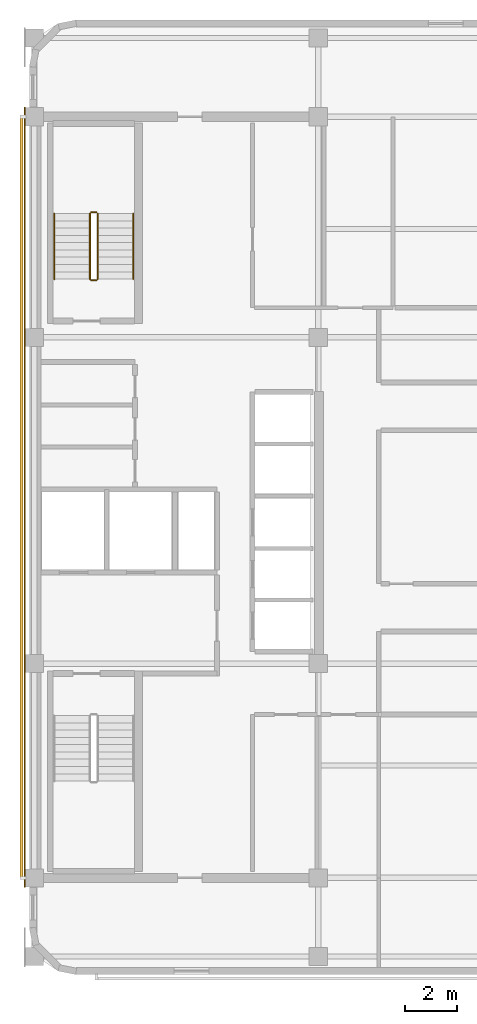
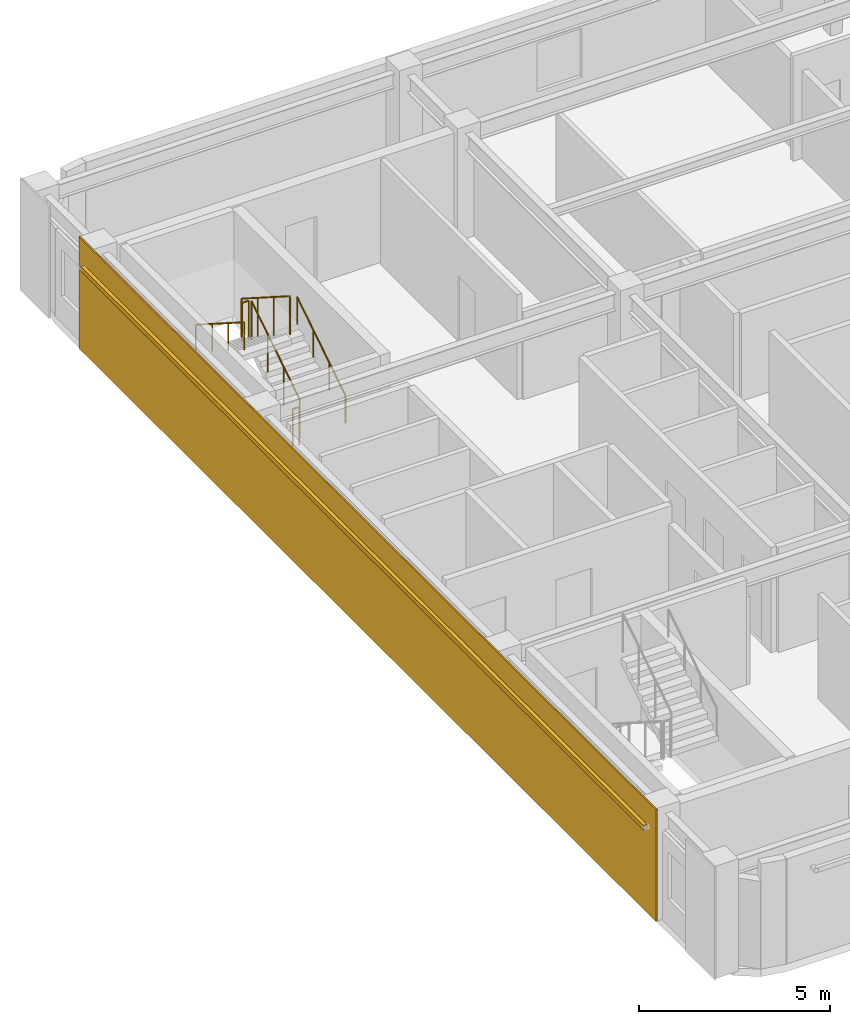
# One storey, part 9 of 10: 6 railings, 1 covering, 1 shading device.
"""IFC4 building model written with IfcOpenShell, lengths in metres."""

from ifc_helpers import new_model, si_unit, direction, frame, origin, origin_2d, place, context, subcontext, project, spatial, rectangle, circle, extrude, material, layer, layer_set, material_profile, profile_set, type_object, element, save


model = new_model("IFC4")

# Units and contexts
model_context = context("Model", 3, precision=1e-05, world=origin(), true_north=direction((0.0, 1.0)))
body_context = subcontext(model_context, "Body", "Model", "MODEL_VIEW")
ifc_project = project(units=[si_unit("LENGTHUNIT", "METRE"), si_unit("AREAUNIT", "SQUARE_METRE"), si_unit("VOLUMEUNIT", "CUBIC_METRE"), si_unit("PLANEANGLEUNIT", "RADIAN"), si_unit("MASSUNIT", "GRAM", prefix="KILO")], contexts=[model_context])

# Site, building, storey
site_placement = place(None, origin())
site = spatial("IfcSite", under=ifc_project, at=site_placement, CompositionType="ELEMENT")
building_placement = place(site_placement, origin())
building = spatial("IfcBuilding", under=site, at=building_placement, Name="Ochreholt Gables", CompositionType="ELEMENT")
storey_placement = place(building_placement, frame((0.0, 0.0, 235.199951171875)))
storey = spatial("IfcBuildingStorey", under=building, at=storey_placement, Name="L61", CompositionType="ELEMENT", Elevation=235.199951171875)

# Covering
ifc_material_1 = material(Name="Glazed Ochre Terracotta Rainscreen Cladding", Category="masonry")
ifc_layer = layer(ifc_material_1, 0.044921875, Name="Glazed Ochre Terracotta Rainscreen Cladding")
ifc_layer_set = layer_set([ifc_layer], Name="Glazed Ochre Terracotta Rainscreen Cladding")
covering_type = type_object("IfcCoveringType", Name="COV-CLAD-TC", PredefinedType="CLADDING", material=ifc_layer_set)
covering_placement = place(storey_placement, frame((23.827880859375, 24.0, 0.010009765625), z_axis=(0.0, 0.0, 1.0), x_axis=(0.0, 1.0, 0.0)))
element("IfcCovering", 1, at=covering_placement, inside=storey, type_object=covering_type, Name="L61 West Core Terracotta Rainscreen Cladding", PredefinedType="CLADDING", context=body_context, shape_type="SweptSolid", body=[
    extrude(rectangle(XDim=30.239990234375, YDim=0.044921875, at=origin_2d()), origin(), (0.0, 0.0, 1.0), 3.580078125),
])

# Railings
ifc_material_2 = material(Name="Painted Steel Stair Guardrail", Category="steel")
railing_type_1 = type_object("IfcRailingType", Name="RL-ST-GUARD", PredefinedType="GUARDRAIL", material=ifc_material_2)
railing_1_placement = place(storey_placement, frame((26.64990234375, 32.4599609375, 0.179931640625)))
element("IfcRailing", 2, at=railing_1_placement, inside=storey, type_object=railing_type_1, Name="L61 ST-2 stair guard 1", PredefinedType="GUARDRAIL", context=body_context, shape_type="SweptSolid", body=[
    extrude(circle(Radius=0.02392578125, at=origin_2d()), frame((0.0, 0.0, 1.22607421875), z_axis=(0.0, 0.842912820907, 0.538050161556), x_axis=(-1.0, 0.0, 0.0)), (0.0, 0.0, 1.0), 3.010986328125),
    extrude(circle(Radius=0.02099609375, at=origin_2d()), origin(), (0.0, 0.0, 1.0), 1.201904296875),
    extrude(circle(Radius=0.02099609375, at=origin_2d()), frame((0.0, 0.845947265625, 0.5400390625)), (0.0, 0.0, 1.0), 1.201904296875),
    extrude(circle(Radius=0.02099609375, at=origin_2d()), frame((0.0, 1.692138671875, 1.080078125)), (0.0, 0.0, 1.0), 1.201904296875),
    extrude(circle(Radius=0.02099609375, at=origin_2d()), frame((0.0, 2.5380859375, 1.6201171875)), (0.0, 0.0, 1.0), 1.201904296875),
])
railing_2_placement = place(storey_placement, frame((26.60009765625, 35.048095703125, 1.800048828125)))
element("IfcRailing", 3, at=railing_2_placement, inside=storey, type_object=railing_type_1, Name="L61 ST-2 stair guard 2", PredefinedType="GUARDRAIL", context=body_context, shape_type="SweptSolid", body=[
    extrude(circle(Radius=0.02392578125, at=origin_2d()), frame((0.0, 0.0, 1.22607421875), z_axis=(-1.0, 0.0, 0.0), x_axis=(0.0, -1.0, 0.0)), (0.0, 0.0, 1.0), 0.2001953125),
    extrude(circle(Radius=0.02099609375, at=origin_2d()), origin(), (0.0, 0.0, 1.0), 1.201904296875),
    extrude(circle(Radius=0.02099609375, at=origin_2d()), frame((-0.2001953125, 0.0, 0.0)), (0.0, 0.0, 1.0), 1.201904296875),
])
railing_3_placement = place(storey_placement, frame((26.35009765625, 34.998046875, 1.97998046875)))
element("IfcRailing", 4, at=railing_3_placement, inside=storey, type_object=railing_type_1, Name="L61 ST-2 stair guard 3", PredefinedType="GUARDRAIL", context=body_context, shape_type="SweptSolid", body=[
    extrude(circle(Radius=0.02392578125, at=origin_2d()), frame((0.0, 0.0, 1.22607421875), z_axis=(0.0, -0.842912820907, 0.538050161556), x_axis=(1.0, 0.0, 0.0)), (0.0, 0.0, 1.0), 3.010986328125),
    extrude(circle(Radius=0.02099609375, at=origin_2d()), origin(), (0.0, 0.0, 1.0), 1.201904296875),
    extrude(circle(Radius=0.02099609375, at=origin_2d()), frame((0.0, -0.845947265625, 0.5400390625)), (0.0, 0.0, 1.0), 1.201904296875),
    extrude(circle(Radius=0.02099609375, at=origin_2d()), frame((0.0, -1.692138671875, 1.080078125)), (0.0, 0.0, 1.0), 1.201904296875),
    extrude(circle(Radius=0.02099609375, at=origin_2d()), frame((0.0, -2.5380859375, 1.6201171875)), (0.0, 0.0, 1.0), 1.201904296875),
])
railing_4_placement = place(storey_placement, frame((26.60009765625, 32.409912109375, 0.0)))
element("IfcRailing", 5, at=railing_4_placement, inside=storey, type_object=railing_type_1, Name="L61 ST-2 stair guard 4", PredefinedType="GUARDRAIL", context=body_context, shape_type="SweptSolid", body=[
    extrude(circle(Radius=0.02392578125, at=origin_2d()), frame((0.0, 0.0, 1.22607421875), z_axis=(-1.0, 0.0, 0.0), x_axis=(0.0, -1.0, 0.0)), (0.0, 0.0, 1.0), 0.2001953125),
    extrude(circle(Radius=0.02099609375, at=origin_2d()), origin(), (0.0, 0.0, 1.0), 1.201904296875),
    extrude(circle(Radius=0.02099609375, at=origin_2d()), frame((-0.2001953125, 0.0, 0.0)), (0.0, 0.0, 1.0), 1.201904296875),
])
ifc_material_3 = material(Name="Brushed Stainless Steel Wall Handrail", Category="steel")
railing_type_2 = type_object("IfcRailingType", Name="RL-ST-HAND", PredefinedType="HANDRAIL", material=ifc_material_3)
railing_5_placement = place(storey_placement, frame((28.030029296875, 32.4599609375, 0.179931640625)))
element("IfcRailing", 6, at=railing_5_placement, inside=storey, type_object=railing_type_2, Name="L61 ST-2 stair handrail 1", PredefinedType="HANDRAIL", context=body_context, shape_type="SweptSolid", body=[
    extrude(circle(Radius=0.02392578125, at=origin_2d()), frame((0.0, 0.0, 0.8759765625), z_axis=(0.0, 0.842912820907, 0.538050161556), x_axis=(-1.0, 0.0, 0.0)), (0.0, 0.0, 1.0), 3.010986328125),
    extrude(circle(Radius=0.02099609375, at=origin_2d()), origin(), (0.0, 0.0, 1.0), 0.851806640625),
    extrude(circle(Radius=0.02099609375, at=origin_2d()), frame((0.0, 0.845947265625, 0.5400390625)), (0.0, 0.0, 1.0), 0.851806640625),
    extrude(circle(Radius=0.02099609375, at=origin_2d()), frame((0.0, 1.692138671875, 1.080078125)), (0.0, 0.0, 1.0), 0.851806640625),
    extrude(circle(Radius=0.02099609375, at=origin_2d()), frame((0.0, 2.5380859375, 1.6201171875)), (0.0, 0.0, 1.0), 0.851806640625),
])
railing_6_placement = place(storey_placement, frame((24.969970703125, 34.998046875, 1.97998046875)))
element("IfcRailing", 7, at=railing_6_placement, inside=storey, type_object=railing_type_2, Name="L61 ST-2 stair handrail 2", PredefinedType="HANDRAIL", context=body_context, shape_type="SweptSolid", body=[
    extrude(circle(Radius=0.02392578125, at=origin_2d()), frame((0.0, 0.0, 0.8759765625), z_axis=(0.0, -0.842912820907, 0.538050161556), x_axis=(1.0, 0.0, 0.0)), (0.0, 0.0, 1.0), 3.010986328125),
    extrude(circle(Radius=0.02099609375, at=origin_2d()), origin(), (0.0, 0.0, 1.0), 0.851806640625),
    extrude(circle(Radius=0.02099609375, at=origin_2d()), frame((0.0, -0.845947265625, 0.5400390625)), (0.0, 0.0, 1.0), 0.851806640625),
    extrude(circle(Radius=0.02099609375, at=origin_2d()), frame((0.0, -1.692138671875, 1.080078125)), (0.0, 0.0, 1.0), 0.851806640625),
    extrude(circle(Radius=0.02099609375, at=origin_2d()), frame((0.0, -2.5380859375, 1.6201171875)), (0.0, 0.0, 1.0), 0.851806640625),
])

# Shading device
ifc_material_4 = material(Name="Warm Ochre Glazed Terracotta Baguette", Category="masonry")
ifc_material_profile = material_profile(ifc_material_4, rectangle(XDim=0.110107421875, YDim=0.14990234375, at=origin_2d()), Name="TCBAG110X150")
ifc_profile_set = profile_set([ifc_material_profile], Name="Warm Ochre Glazed Terracotta Baguette")
shading_device_type = type_object("IfcShadingDeviceType", Name="SHD-BAGUETTE", PredefinedType="USERDEFINED", material=ifc_profile_set)
shading_device_placement = place(storey_placement, frame((23.699951171875, 38.75, 2.840087890625), z_axis=(0.0, -1.0, 0.0), x_axis=(1.0, 0.0, 0.0)))
element("IfcShadingDevice", 8, at=shading_device_placement, inside=storey, type_object=shading_device_type, Name="L61 Terracotta Baguette Screen W-1", ObjectType="BAGUETTE", PredefinedType="USERDEFINED", context=body_context, shape_type="SweptSolid", body=[
    extrude(rectangle(XDim=0.110107421875, YDim=0.14990234375, at=origin_2d()), origin(), (0.0, 0.0, 1.0), 29.5),
])

save(model, "model.ifc")
